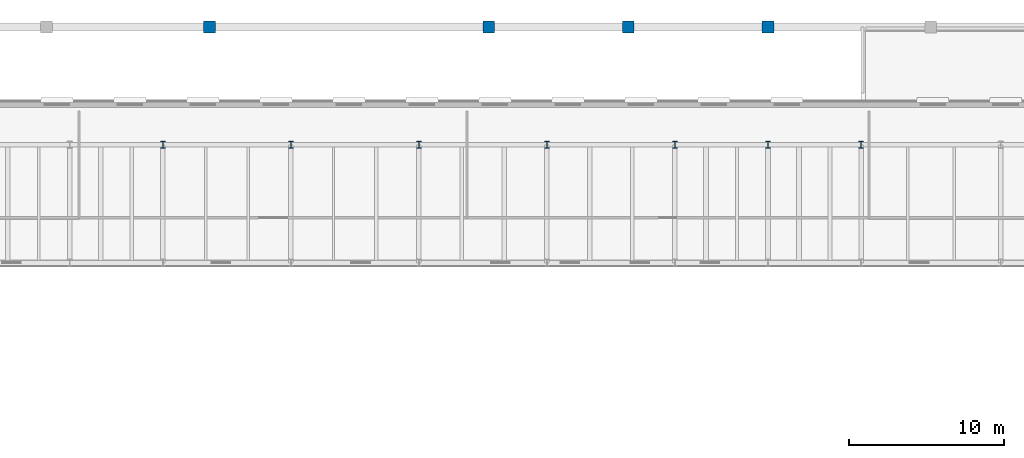
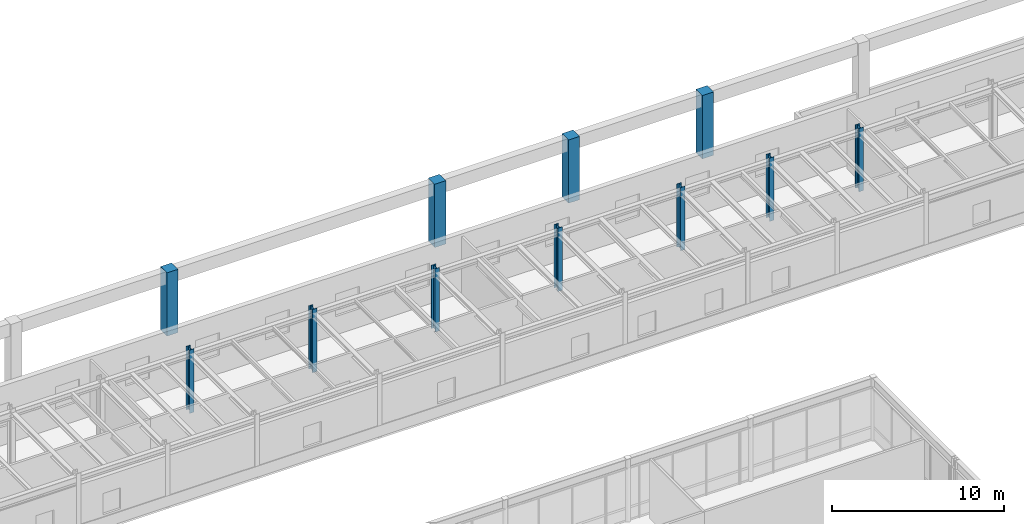
# One storey, part 14 of 64: 11 columns.
"""IFC4 building model written with IfcOpenShell, lengths in metres."""

import ifcopenshell
import ifcopenshell.guid

model = None  # the IFC model being written
_history = None  # IfcOwnerHistory: only IFC2X3 demands one
_inside = {}  # id of a spatial element -> (the spatial element, [elements in it])
_under = {}  # id of a project, library or spatial element -> (it, [spatial elements below it])
_declared = {}  # id of a project -> (the project, [libraries it declares])
_typed = {}  # id of a type object -> (the type object, [elements of that type])
_made_of = {}  # id of a material, layer set ... -> (it, [elements and type objects made of it])


def new_model(schema):
    """Start an empty IFC model of exactly this schema.

    Asked for "IFC4X3", IfcOpenShell would pick the latest addendum, in which some entities
    have other attributes; the version numbers below select the first issue.
    IFC2X3 requires an IfcOwnerHistory on every rooted entity: one is made here for all.
    """
    global model, _history
    if schema == "IFC4X3":
        model = ifcopenshell.file(schema_version=(4, 3, 0, 0))
    else:
        model = ifcopenshell.file(schema=schema)
    _inside.clear()
    _under.clear()
    _declared.clear()
    _typed.clear()
    _made_of.clear()
    _history = None
    if model.schema == "IFC2X3":
        org = make("IfcOrganization", Name="unknown")
        user = make(
            "IfcPersonAndOrganization",
            ThePerson=make("IfcPerson", FamilyName="unknown"),
            TheOrganization=org,
        )
        app = make(
            "IfcApplication",
            ApplicationDeveloper=org,
            Version="unknown",
            ApplicationFullName="unknown",
            ApplicationIdentifier="unknown",
        )
        _history = make(
            "IfcOwnerHistory",
            OwningUser=user,
            OwningApplication=app,
            ChangeAction="ADDED",
            CreationDate=0,
        )
    return model


def make(cls, **values):
    """One entity of the class cls with the attributes given. An attribute that is None is left unset."""
    return model.create_entity(
        cls, **{name: value for name, value in values.items() if value is not None}
    )


def rooted(cls, **values):
    """An entity with a GlobalId (a new one), such as an element, a storey or a relation."""
    return make(cls, GlobalId=ifcopenshell.guid.new(), OwnerHistory=_history, **values)


def si_unit(unit_type, name, prefix=None):
    """IfcSIUnit, for example si_unit("LENGTHUNIT", "METRE", prefix="MILLI")."""
    return make("IfcSIUnit", UnitType=unit_type, Prefix=prefix, Name=name)


def assignment(units):
    """IfcUnitAssignment: the units of a project."""
    return None if units is None else make("IfcUnitAssignment", Units=units)


def point(xyz):
    """IfcCartesianPoint."""
    return None if xyz is None else make("IfcCartesianPoint", Coordinates=xyz)


def direction(xyz):
    """IfcDirection."""
    return None if xyz is None else make("IfcDirection", DirectionRatios=xyz)


def frame(location, z_axis=None, x_axis=None):
    """IfcAxis2Placement3D, a coordinate frame: its origin and axes. An axis left out is left unset."""
    return make(
        "IfcAxis2Placement3D",
        Location=point(location),
        Axis=direction(z_axis),
        RefDirection=direction(x_axis),
    )


def frame_2d(location, x_axis=None):
    """IfcAxis2Placement2D, a coordinate frame in the plane: its origin and x axis."""
    return make(
        "IfcAxis2Placement2D", Location=point(location), RefDirection=direction(x_axis)
    )


def origin():
    """The frame at (0, 0, 0) with its axes left unset."""
    return frame((0.0, 0.0, 0.0))


def origin_2d():
    """The frame at (0, 0) in the plane with its x axis left unset."""
    return frame_2d((0.0, 0.0))


def place(relative_to, where):
    """IfcLocalPlacement: puts the frame where relative to a parent placement (None: the world)."""
    return make(
        "IfcLocalPlacement", PlacementRelTo=relative_to, RelativePlacement=where
    )


def context(
    kind, dimensions, precision=None, world=None, true_north=None, identifier=None
):
    """IfcGeometricRepresentationContext, for example the 3D "Model" context."""
    return make(
        "IfcGeometricRepresentationContext",
        ContextIdentifier=identifier,
        ContextType=kind,
        CoordinateSpaceDimension=dimensions,
        Precision=precision,
        WorldCoordinateSystem=world,
        TrueNorth=true_north,
    )


def subcontext(parent, identifier, kind, view, scale=None):
    """IfcGeometricRepresentationSubContext, for example "Body" below "Model"."""
    return make(
        "IfcGeometricRepresentationSubContext",
        ContextIdentifier=identifier,
        ContextType=kind,
        ParentContext=parent,
        TargetScale=scale,
        TargetView=view,
    )


def project(units=None, contexts=None):
    """IfcProject with its units and contexts."""
    return rooted(
        "IfcProject",
        Name="project",
        RepresentationContexts=contexts,
        UnitsInContext=assignment(units),
    )


def spatial(cls, under=None, at=None, **own):
    """A site, building, storey or space (cls), placed at a placement, below another one or the project."""
    s = rooted(cls, ObjectPlacement=at, **own)
    if under is not None:
        _under.setdefault(under.id(), (under, []))[1].append(s)
    return s


def profile(cls, at=None, kind="AREA", **sizes):
    """A parametric profile (cls). Its sizes go by their IFC names, for example OverallWidth=200.0."""
    return make(cls, ProfileType=kind, Position=at, **sizes)


def rectangle(**sizes):
    """IfcRectangleProfileDef."""
    return profile("IfcRectangleProfileDef", **sizes)


def i_section(**sizes):
    """IfcIShapeProfileDef."""
    return profile("IfcIShapeProfileDef", **sizes)


def extrude(swept, where, along, depth):
    """IfcExtrudedAreaSolid: the profile swept, set in the frame where, extruded along a direction by depth."""
    return make(
        "IfcExtrudedAreaSolid",
        SweptArea=swept,
        Position=where,
        ExtrudedDirection=direction(along),
        Depth=depth,
    )


def shape(context_of_items, identifier, shape_type, items):
    """IfcShapeRepresentation: the items that make up one representation, for example the "Body"."""
    return make(
        "IfcShapeRepresentation",
        ContextOfItems=context_of_items,
        RepresentationIdentifier=identifier,
        RepresentationType=shape_type,
        Items=items,
    )


def material(Name=None, Category=None):
    """IfcMaterial."""
    return make("IfcMaterial", Name=Name, Category=Category)


def material_profile(
    of_material, cross_section, Name=None, Category=None, Priority=None
):
    """IfcMaterialProfile: a cross section and its material."""
    return make(
        "IfcMaterialProfile",
        Name=Name,
        Material=of_material,
        Profile=cross_section,
        Priority=Priority,
        Category=Category,
    )


def profile_set(profiles, Name=None, composite=None):
    """IfcMaterialProfileSet."""
    return make(
        "IfcMaterialProfileSet",
        Name=Name,
        MaterialProfiles=profiles,
        CompositeProfile=composite,
    )


def made_of(thing, what):
    """Note that an element or type object is made of a material, layer set ...; save() writes the relation."""
    if what is not None:
        _made_of.setdefault(what.id(), (what, []))[1].append(thing)
    return thing


def type_object(cls, material=None, **own):
    """A type object (cls), such as IfcWallType, which elements share."""
    return made_of(rooted(cls, **own), material)


def element(
    cls,
    number,
    at=None,
    inside=None,
    cuts=None,
    type_object=None,
    material=None,
    context=None,
    identifier="Body",
    shape_type=None,
    held_by="IfcProductDefinitionShape",
    body=None,
    shapes=None,
    **own,
):
    """One element of the class cls, such as IfcWall. Its Tag is "e" and its number.

    at: its placement. inside: the storey or other place that contains it. cuts: it is an
    opening in that element (IfcRelVoidsElement). A single representation is given by context,
    identifier, shape_type and body (its items); several are given by shapes. held_by: the class
    of the entity that holds the representations. save() writes the other relations.
    """
    e = rooted(cls, Tag="e%d" % number, ObjectPlacement=at, **own)
    if body is not None:
        shapes = [shape(context, identifier, shape_type, body)]
    if shapes is not None:
        e.Representation = make(held_by, Representations=shapes)
    if inside is not None:
        _inside.setdefault(inside.id(), (inside, []))[1].append(e)
    if cuts is not None:
        rooted(
            "IfcRelVoidsElement", RelatingBuildingElement=cuts, RelatedOpeningElement=e
        )
    if type_object is not None:
        _typed.setdefault(type_object.id(), (type_object, []))[1].append(e)
    return made_of(e, material)


def aggregate(whole, parts):
    """IfcRelAggregates: a whole, such as a stair, and the parts it consists of."""
    return rooted("IfcRelAggregates", RelatingObject=whole, RelatedObjects=parts)


def save(model, path):
    """Write the relations noted so far, then the file.

    IfcRelAggregates (storeys below a building ...), IfcRelContainedInSpatialStructure (elements
    in a storey), IfcRelDefinesByType, IfcRelAssociatesMaterial and IfcRelDeclares: one each for
    every whole, place, type object, material and project.
    """
    for whole, parts in _under.values():
        aggregate(whole, parts)
    for where, things in _inside.values():
        rooted(
            "IfcRelContainedInSpatialStructure",
            RelatedElements=things,
            RelatingStructure=where,
        )
    for kind, things in _typed.values():
        rooted("IfcRelDefinesByType", RelatedObjects=things, RelatingType=kind)
    for what, things in _made_of.values():
        rooted("IfcRelAssociatesMaterial", RelatedObjects=things, RelatingMaterial=what)
    for by, libraries in _declared.values():
        rooted("IfcRelDeclares", RelatingContext=by, RelatedDefinitions=libraries)
    model.write(path)


model = new_model("IFC4")

# Units and contexts
model_context = context("Model", 3, precision=1e-05, world=origin(), true_north=direction((0.0, 1.0)))
body_context = subcontext(model_context, "Body", "Model", "MODEL_VIEW")
ifc_project = project(units=[si_unit("LENGTHUNIT", "METRE"), si_unit("AREAUNIT", "SQUARE_METRE"), si_unit("VOLUMEUNIT", "CUBIC_METRE"), si_unit("PLANEANGLEUNIT", "RADIAN"), si_unit("MASSUNIT", "GRAM", prefix="KILO")], contexts=[model_context])

# Site, building, storey
site_placement = place(None, origin())
site = spatial("IfcSite", under=ifc_project, at=site_placement, CompositionType="ELEMENT")
building_placement = place(site_placement, origin())
building = spatial("IfcBuilding", under=site, at=building_placement, Name="Montealbar Specialist Clinic", CompositionType="ELEMENT")
storey_placement = place(building_placement, frame((0.0, 0.0, 5.10009765625)))
storey = spatial("IfcBuildingStorey", under=building, at=storey_placement, Name="L01", CompositionType="ELEMENT", Elevation=5.10009765625)

# Columns
ifc_material_1 = material(Name="Steel S355", Category="steel")
ifc_material_profile_1 = material_profile(ifc_material_1, i_section(OverallWidth=0.300048828125, OverallDepth=0.449951171875, WebThickness=0.013916015625, FlangeThickness=0.02587890625, FilletRadius=0.027099609375, at=origin_2d()), Name="HEB 450", Category="steel")
ifc_profile_set_1 = profile_set([ifc_material_profile_1], Name="Steel S355")
column_type_1 = type_object("IfcColumnType", Name="COL-S-L01-STD", PredefinedType="COLUMN", material=ifc_profile_set_1)
for number, where, z_axis, x_axis, name in (
    (1, (66.0, 103.39990234375, 0.0), (0.0, 0.0, 1.0), (1.0, 0.0, 0.0), "Column 9/N L01"),
    (2, (74.25, 103.39990234375, 0.0), (0.0, 0.0, 1.0), (1.0, 0.0, 0.0), "Column 10/N L01"),
    (3, (82.5, 103.39990234375, 0.0), (0.0, 0.0, 1.0), (1.0, 0.0, 0.0), "Column 11/N L01"),
    (4, (90.75, 103.39990234375, 0.0), (0.0, 0.0, 1.0), (1.0, 0.0, 0.0), "Column 12/N L01"),
    (5, (99.0, 103.39990234375, 0.0), (0.0, 0.0, 1.0), (1.0, 0.0, 0.0), "Column 13/N L01"),
    (6, (105.0, 103.39990234375, 0.0), (0.0, 0.0, 1.0), (1.0, 0.0, 0.0), "Column 14/N L01"),
    (7, (111.0, 103.39990234375, 0.0), (0.0, 0.0, 1.0), (1.0, 0.0, 0.0), "Column 15/N L01"),
):
    element("IfcColumn", number, at=place(storey_placement, frame(where, z_axis=z_axis, x_axis=x_axis)), inside=storey, type_object=column_type_1, Name=name, PredefinedType="COLUMN", context=body_context, shape_type="SweptSolid", body=[
        extrude(i_section(OverallWidth=0.300048828125, OverallDepth=0.449951171875, WebThickness=0.013916015625, FlangeThickness=0.02587890625, FilletRadius=0.027099609375, at=origin_2d()), origin(), (0.0, 0.0, 1.0), 4.5),
    ])
ifc_material_2 = material(Name="Guadarrama granite ashlar", Category="masonry")
ifc_material_profile_2 = material_profile(ifc_material_2, rectangle(XDim=0.75, YDim=0.75, at=origin_2d()), Name="GRANITE PILASTER 750x750", Category="masonry")
ifc_profile_set_2 = profile_set([ifc_material_profile_2], Name="Guadarrama granite ashlar")
column_type_2 = type_object("IfcColumnType", Name="PIL-PM-GIANT-EXT", PredefinedType="PILASTER", material=ifc_profile_set_2)
for number, where, z_axis, x_axis, name in (
    (8, (69.0, 111.0, 0.0), (0.0, 0.0, 1.0), (1.0, 0.0, 0.0), "Column NP6/P L01"),
    (9, (87.0, 111.0, 0.0), (0.0, 0.0, 1.0), (1.0, 0.0, 0.0), "Column NP7/P L01"),
    (10, (96.0, 111.0, 0.0), (0.0, 0.0, 1.0), (1.0, 0.0, 0.0), "Column NP8/P L01"),
    (11, (105.0, 111.0, 0.0), (0.0, 0.0, 1.0), (1.0, 0.0, 0.0), "Column NP9/P L01"),
):
    element("IfcColumn", number, at=place(storey_placement, frame(where, z_axis=z_axis, x_axis=x_axis)), inside=storey, type_object=column_type_2, Name=name, PredefinedType="PILASTER", context=body_context, shape_type="SweptSolid", body=[
        extrude(rectangle(XDim=0.75, YDim=0.75, at=origin_2d()), origin(), (0.0, 0.0, 1.0), 4.5),
    ])

save(model, "model.ifc")
